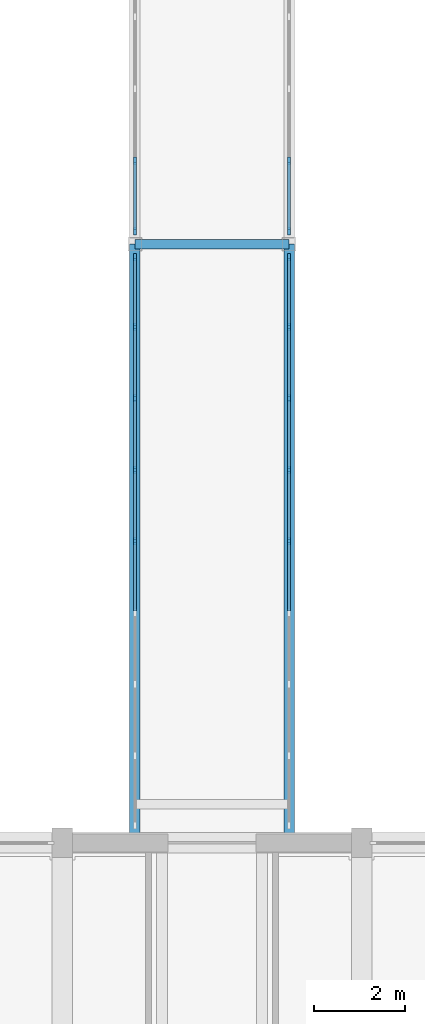
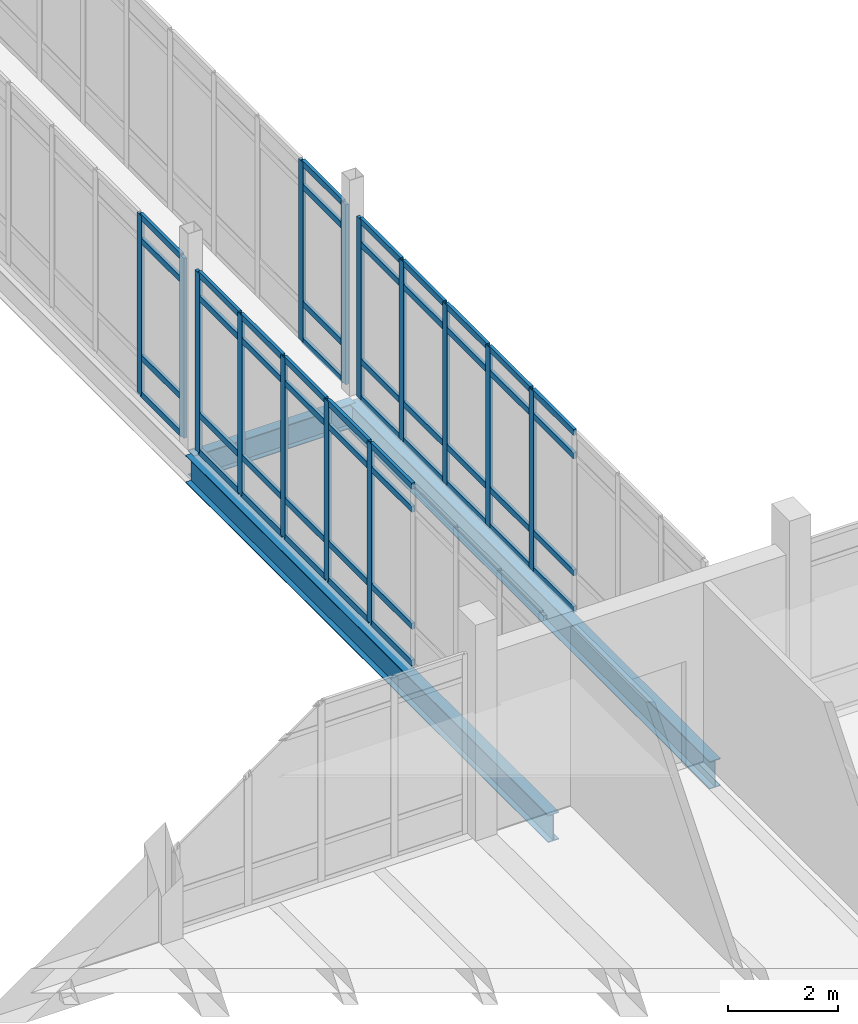
# One storey, part 52 of 125: 62 members, 3 beams, 4 elements without a shape of their own.
"""IFC4 building model written with IfcOpenShell, lengths in metres."""

from ifc_helpers import new_model, si_unit, direction, frame, origin, origin_2d, place, context, subcontext, project, spatial, rectangle, i_section, extrude, material, material_profile, profile_set, type_object, element, aggregate, save


model = new_model("IFC4")

# Units and contexts
model_context = context("Model", 3, precision=1e-05, world=origin(), true_north=direction((0.0, 1.0)))
body_context = subcontext(model_context, "Body", "Model", "MODEL_VIEW")
ifc_project = project(units=[si_unit("LENGTHUNIT", "METRE"), si_unit("AREAUNIT", "SQUARE_METRE"), si_unit("VOLUMEUNIT", "CUBIC_METRE"), si_unit("PLANEANGLEUNIT", "RADIAN"), si_unit("MASSUNIT", "GRAM", prefix="KILO")], contexts=[model_context])

# Site, building, storey
site_placement = place(None, origin())
site = spatial("IfcSite", under=ifc_project, at=site_placement, CompositionType="ELEMENT")
building_placement = place(site_placement, origin())
building = spatial("IfcBuilding", under=site, at=building_placement, Name="Dornvale Research Institute", CompositionType="ELEMENT")
storey_placement = place(building_placement, frame((0.0, 0.0, 5.39990234375)))
storey = spatial("IfcBuildingStorey", under=building, at=storey_placement, Name="L01", CompositionType="ELEMENT", Elevation=5.39990234375)

# Beams
ifc_material_1 = material(Name="Steel ASTM A992 Grade 50", Category="steel")
ifc_material_profile_1 = material_profile(ifc_material_1, i_section(OverallWidth=0.2099609375, OverallDepth=0.535888671875, WebThickness=0.010986328125, FlangeThickness=0.017333984375, at=origin_2d()), Name="W21X68")
ifc_profile_set_1 = profile_set([ifc_material_profile_1], Name="Steel ASTM A992 Grade 50")
beam_type_1 = type_object("IfcBeamType", Name="Beam_Steel_W21X68_Ext", PredefinedType="BEAM", material=ifc_profile_set_1)
beam_placement = place(storey_placement, frame((140.199951171875, 39.60009765625, -0.48779296875), z_axis=(1.0, 0.0, 0.0), x_axis=(0.0, 1.0, 0.0)))
element("IfcBeam", 1, at=beam_placement, inside=storey, type_object=beam_type_1, Name="L01 BR-7 portal cap beam #2026", PredefinedType="BEAM", context=body_context, shape_type="SweptSolid", body=[
    extrude(i_section(OverallWidth=0.2099609375, OverallDepth=0.535888671875, WebThickness=0.010986328125, FlangeThickness=0.017333984375, at=origin_2d()), origin(), (0.0, 0.0, 1.0), 3.400146484375),
])
ifc_material_2 = material(Name="Steel ASTM A992 Grade 50", Category="steel")
ifc_material_profile_2 = material_profile(ifc_material_2, i_section(OverallWidth=0.22900390625, OverallDepth=0.612060546875, WebThickness=0.011962890625, FlangeThickness=0.01953125, at=origin_2d()), Name="W24X84")
ifc_profile_set_2 = profile_set([ifc_material_profile_2], Name="Steel ASTM A992 Grade 50")
beam_type_2 = type_object("IfcBeamType", Name="Beam_Steel_W24X84_Bridge", PredefinedType="BEAM", material=ifc_profile_set_2)
for number, where, z_axis, x_axis, name in (
    (2, (140.199951171875, 26.39990234375, -0.52587890625), (0.0, 1.0, 0.0), (-1.0, 0.0, 0.0), "L01 BR-7 west girder #2026"),
    (3, (143.60009765625, 26.39990234375, -0.52587890625), (0.0, 1.0, 0.0), (-1.0, 0.0, 0.0), "L01 BR-7 east girder #2026"),
):
    element("IfcBeam", number, at=place(storey_placement, frame(where, z_axis=z_axis, x_axis=x_axis)), inside=storey, type_object=beam_type_2, Name=name, PredefinedType="BEAM", context=body_context, shape_type="SweptSolid", body=[
        extrude(i_section(OverallWidth=0.22900390625, OverallDepth=0.612060546875, WebThickness=0.011962890625, FlangeThickness=0.01953125, at=origin_2d()), origin(), (0.0, 0.0, 1.0), 13.2001953125),
    ])

# Curtain wall, members
ifc_material_3 = material(Name="Low-E Argon Double Insulating Glazing Unit", Category="glass")
curtain_wall_type_1 = type_object("IfcCurtainWallType", Name="UnitisedCurtainWall_V2_12600x4000", PredefinedType="USERDEFINED", material=ifc_material_3)
curtain_wall_1_placement = place(storey_placement, origin())
curtain_wall_1 = element("IfcCurtainWall", 4, at=curtain_wall_1_placement, inside=storey, type_object=curtain_wall_type_1, Name="L01 V2 unitised curtain wall CW-41 #231", ObjectType="UNITISED CURTAIN WALL", PredefinedType="USERDEFINED")
ifc_material_4 = material(Name="Anodized Aluminum AA 6063-T6 Thermally Broken Frame", Category="aluminium")
ifc_material_profile_3 = material_profile(ifc_material_4, rectangle(XDim=0.06494140625, YDim=0.1650390625, at=origin_2d()), Name="ALU MULLION 65x165")
ifc_profile_set_3 = profile_set([ifc_material_profile_3], Name="Anodized Aluminum AA 6063-T6 Thermally Broken Frame")
member_type_1 = type_object("IfcMemberType", Name="Mullion_Atrium_65x165", PredefinedType="MULLION", material=ifc_profile_set_3)
member_1_placement = place(storey_placement, frame((140.199951171875, 33.050048828125, 0.0), z_axis=(0.0, 0.0, 1.0), x_axis=(-1.0, 0.0, 0.0)))
member_1 = element("IfcMember", 5, at=member_1_placement, type_object=member_type_1, Name="CW-41 mullion 5", PredefinedType="MULLION", context=body_context, shape_type="SweptSolid", body=[
    extrude(rectangle(XDim=0.06494140625, YDim=0.1650390625, at=origin_2d()), origin(), (0.0, 0.0, 1.0), 4.0),
])
member_2_placement = place(storey_placement, frame((140.199951171875, 34.625, 0.0), z_axis=(0.0, 0.0, 1.0), x_axis=(-1.0, 0.0, 0.0)))
member_2 = element("IfcMember", 6, at=member_2_placement, type_object=member_type_1, Name="CW-41 mullion 6", PredefinedType="MULLION", context=body_context, shape_type="SweptSolid", body=[
    extrude(rectangle(XDim=0.06494140625, YDim=0.1650390625, at=origin_2d()), origin(), (0.0, 0.0, 1.0), 4.0),
])
member_3_placement = place(storey_placement, frame((140.199951171875, 36.199951171875, 0.0), z_axis=(0.0, 0.0, 1.0), x_axis=(-1.0, 0.0, 0.0)))
member_3 = element("IfcMember", 7, at=member_3_placement, type_object=member_type_1, Name="CW-41 mullion 7", PredefinedType="MULLION", context=body_context, shape_type="SweptSolid", body=[
    extrude(rectangle(XDim=0.06494140625, YDim=0.1650390625, at=origin_2d()), origin(), (0.0, 0.0, 1.0), 4.0),
])
member_4_placement = place(storey_placement, frame((140.199951171875, 37.77490234375, 0.0), z_axis=(0.0, 0.0, 1.0), x_axis=(-1.0, 0.0, 0.0)))
member_4 = element("IfcMember", 8, at=member_4_placement, type_object=member_type_1, Name="CW-41 mullion 8", PredefinedType="MULLION", context=body_context, shape_type="SweptSolid", body=[
    extrude(rectangle(XDim=0.06494140625, YDim=0.1650390625, at=origin_2d()), origin(), (0.0, 0.0, 1.0), 4.0),
])
member_5_placement = place(storey_placement, frame((140.199951171875, 39.3173828125, 0.0), z_axis=(0.0, 0.0, 1.0), x_axis=(-1.0, 0.0, 0.0)))
member_5 = element("IfcMember", 9, at=member_5_placement, type_object=member_type_1, Name="CW-41 mullion 9", PredefinedType="MULLION", context=body_context, shape_type="SweptSolid", body=[
    extrude(rectangle(XDim=0.06494140625, YDim=0.1650390625, at=origin_2d()), origin(), (0.0, 0.0, 1.0), 4.0),
])

curtain_wall_2_placement = place(storey_placement, origin())
curtain_wall_2 = element("IfcCurtainWall", 10, at=curtain_wall_2_placement, inside=storey, type_object=curtain_wall_type_1, Name="L01 V2 unitised curtain wall CW-41 #232", ObjectType="UNITISED CURTAIN WALL", PredefinedType="USERDEFINED")
member_6_placement = place(storey_placement, frame((143.60009765625, 39.3173828125, 0.0), z_axis=(0.0, 0.0, 1.0), x_axis=(1.0, 0.0, 0.0)))
member_6 = element("IfcMember", 11, at=member_6_placement, type_object=member_type_1, Name="CW-41 mullion 1", PredefinedType="MULLION", context=body_context, shape_type="SweptSolid", body=[
    extrude(rectangle(XDim=0.06494140625, YDim=0.1650390625, at=origin_2d()), origin(), (0.0, 0.0, 1.0), 4.0),
])
member_7_placement = place(storey_placement, frame((143.60009765625, 37.77490234375, 0.0), z_axis=(0.0, 0.0, 1.0), x_axis=(1.0, 0.0, 0.0)))
member_7 = element("IfcMember", 12, at=member_7_placement, type_object=member_type_1, Name="CW-41 mullion 2", PredefinedType="MULLION", context=body_context, shape_type="SweptSolid", body=[
    extrude(rectangle(XDim=0.06494140625, YDim=0.1650390625, at=origin_2d()), origin(), (0.0, 0.0, 1.0), 4.0),
])
member_8_placement = place(storey_placement, frame((143.60009765625, 36.199951171875, 0.0), z_axis=(0.0, 0.0, 1.0), x_axis=(1.0, 0.0, 0.0)))
member_8 = element("IfcMember", 13, at=member_8_placement, type_object=member_type_1, Name="CW-41 mullion 3", PredefinedType="MULLION", context=body_context, shape_type="SweptSolid", body=[
    extrude(rectangle(XDim=0.06494140625, YDim=0.1650390625, at=origin_2d()), origin(), (0.0, 0.0, 1.0), 4.0),
])
member_9_placement = place(storey_placement, frame((143.60009765625, 34.625, 0.0), z_axis=(0.0, 0.0, 1.0), x_axis=(1.0, 0.0, 0.0)))
member_9 = element("IfcMember", 14, at=member_9_placement, type_object=member_type_1, Name="CW-41 mullion 4", PredefinedType="MULLION", context=body_context, shape_type="SweptSolid", body=[
    extrude(rectangle(XDim=0.06494140625, YDim=0.1650390625, at=origin_2d()), origin(), (0.0, 0.0, 1.0), 4.0),
])
member_10_placement = place(storey_placement, frame((143.60009765625, 33.050048828125, 0.0), z_axis=(0.0, 0.0, 1.0), x_axis=(1.0, 0.0, 0.0)))
member_10 = element("IfcMember", 15, at=member_10_placement, type_object=member_type_1, Name="CW-41 mullion 5", PredefinedType="MULLION", context=body_context, shape_type="SweptSolid", body=[
    extrude(rectangle(XDim=0.06494140625, YDim=0.1650390625, at=origin_2d()), origin(), (0.0, 0.0, 1.0), 4.0),
])

ifc_material_5 = material(Name="Low-E Argon Double Insulating Glazing Unit", Category="glass")
curtain_wall_type_2 = type_object("IfcCurtainWallType", Name="UnitisedCurtainWall_V2_12700x4000", PredefinedType="USERDEFINED", material=ifc_material_5)
curtain_wall_3_placement = place(storey_placement, origin())
curtain_wall_3 = element("IfcCurtainWall", 16, at=curtain_wall_3_placement, inside=storey, type_object=curtain_wall_type_2, Name="L01 V2 unitised curtain wall CW-42 #233", ObjectType="UNITISED CURTAIN WALL", PredefinedType="USERDEFINED")
member_11_placement = place(storey_placement, frame((140.199951171875, 39.882568359375, 0.0), z_axis=(0.0, 0.0, 1.0), x_axis=(-1.0, 0.0, 0.0)))
member_11 = element("IfcMember", 17, at=member_11_placement, type_object=member_type_1, Name="CW-42 mullion 1", PredefinedType="MULLION", context=body_context, shape_type="SweptSolid", body=[
    extrude(rectangle(XDim=0.06494140625, YDim=0.1650390625, at=origin_2d()), origin(), (0.0, 0.0, 1.0), 4.0),
])
member_12_placement = place(storey_placement, frame((140.199951171875, 41.4375, 0.0), z_axis=(0.0, 0.0, 1.0), x_axis=(-1.0, 0.0, 0.0)))
member_12 = element("IfcMember", 18, at=member_12_placement, type_object=member_type_1, Name="CW-42 mullion 2", PredefinedType="MULLION", context=body_context, shape_type="SweptSolid", body=[
    extrude(rectangle(XDim=0.06494140625, YDim=0.1650390625, at=origin_2d()), origin(), (0.0, 0.0, 1.0), 4.0),
])

curtain_wall_4_placement = place(storey_placement, origin())
curtain_wall_4 = element("IfcCurtainWall", 19, at=curtain_wall_4_placement, inside=storey, type_object=curtain_wall_type_2, Name="L01 V2 unitised curtain wall CW-42 #234", ObjectType="UNITISED CURTAIN WALL", PredefinedType="USERDEFINED")
member_13_placement = place(storey_placement, frame((143.60009765625, 41.4375, 0.0), z_axis=(0.0, 0.0, 1.0), x_axis=(1.0, 0.0, 0.0)))
member_13 = element("IfcMember", 20, at=member_13_placement, type_object=member_type_1, Name="CW-42 mullion 8", PredefinedType="MULLION", context=body_context, shape_type="SweptSolid", body=[
    extrude(rectangle(XDim=0.06494140625, YDim=0.1650390625, at=origin_2d()), origin(), (0.0, 0.0, 1.0), 4.0),
])
member_14_placement = place(storey_placement, frame((143.60009765625, 39.882568359375, 0.0), z_axis=(0.0, 0.0, 1.0), x_axis=(1.0, 0.0, 0.0)))
member_14 = element("IfcMember", 21, at=member_14_placement, type_object=member_type_1, Name="CW-42 mullion 9", PredefinedType="MULLION", context=body_context, shape_type="SweptSolid", body=[
    extrude(rectangle(XDim=0.06494140625, YDim=0.1650390625, at=origin_2d()), origin(), (0.0, 0.0, 1.0), 4.0),
])

# Member
ifc_material_6 = material(Name="Anodized Aluminum AA 6063-T6 Thermally Broken Frame", Category="aluminium")
ifc_material_profile_4 = material_profile(ifc_material_6, rectangle(XDim=0.06494140625, YDim=0.135009765625, at=origin_2d()), Name="ALU TRANSOM 65x135")
ifc_profile_set_4 = profile_set([ifc_material_profile_4], Name="Anodized Aluminum AA 6063-T6 Thermally Broken Frame")
member_type_2 = type_object("IfcMemberType", Name="Transom_CW_65x135", PredefinedType="USERDEFINED", material=ifc_profile_set_4)
member_15_placement = place(storey_placement, frame((140.199951171875, 31.507568359375, 0.03271484375), z_axis=(0.0, 1.0, 0.0), x_axis=(-1.0, 0.0, 0.0)))
member_15 = element("IfcMember", 22, at=member_15_placement, type_object=member_type_2, Name="CW-41 transom 4.1", ObjectType="TRANSOM", PredefinedType="USERDEFINED", context=body_context, shape_type="SweptSolid", body=[
    extrude(rectangle(XDim=0.06494140625, YDim=0.135009765625, at=origin_2d()), origin(), (0.0, 0.0, 1.0), 1.510009765625),
])

member_16_placement = place(storey_placement, frame((140.199951171875, 31.507568359375, 0.85009765625), z_axis=(0.0, 1.0, 0.0), x_axis=(-1.0, 0.0, 0.0)))
member_16 = element("IfcMember", 23, at=member_16_placement, type_object=member_type_2, Name="CW-41 transom 4.2", ObjectType="TRANSOM", PredefinedType="USERDEFINED", context=body_context, shape_type="SweptSolid", body=[
    extrude(rectangle(XDim=0.06494140625, YDim=0.135009765625, at=origin_2d()), origin(), (0.0, 0.0, 1.0), 1.510009765625),
])

member_17_placement = place(storey_placement, frame((140.199951171875, 31.507568359375, 3.4501953125), z_axis=(0.0, 1.0, 0.0), x_axis=(-1.0, 0.0, 0.0)))
member_17 = element("IfcMember", 24, at=member_17_placement, type_object=member_type_2, Name="CW-41 transom 4.3", ObjectType="TRANSOM", PredefinedType="USERDEFINED", context=body_context, shape_type="SweptSolid", body=[
    extrude(rectangle(XDim=0.06494140625, YDim=0.135009765625, at=origin_2d()), origin(), (0.0, 0.0, 1.0), 1.510009765625),
])

member_18_placement = place(storey_placement, frame((140.199951171875, 31.507568359375, 3.967529296875), z_axis=(0.0, 1.0, 0.0), x_axis=(-1.0, 0.0, 0.0)))
member_18 = element("IfcMember", 25, at=member_18_placement, type_object=member_type_2, Name="CW-41 transom 4.4", ObjectType="TRANSOM", PredefinedType="USERDEFINED", context=body_context, shape_type="SweptSolid", body=[
    extrude(rectangle(XDim=0.06494140625, YDim=0.135009765625, at=origin_2d()), origin(), (0.0, 0.0, 1.0), 1.510009765625),
])

member_19_placement = place(storey_placement, frame((140.199951171875, 33.08251953125, 0.03271484375), z_axis=(0.0, 1.0, 0.0), x_axis=(-1.0, 0.0, 0.0)))
member_19 = element("IfcMember", 26, at=member_19_placement, type_object=member_type_2, Name="CW-41 transom 5.1", ObjectType="TRANSOM", PredefinedType="USERDEFINED", context=body_context, shape_type="SweptSolid", body=[
    extrude(rectangle(XDim=0.06494140625, YDim=0.135009765625, at=origin_2d()), origin(), (0.0, 0.0, 1.0), 1.510009765625),
])

member_20_placement = place(storey_placement, frame((140.199951171875, 33.08251953125, 0.85009765625), z_axis=(0.0, 1.0, 0.0), x_axis=(-1.0, 0.0, 0.0)))
member_20 = element("IfcMember", 27, at=member_20_placement, type_object=member_type_2, Name="CW-41 transom 5.2", ObjectType="TRANSOM", PredefinedType="USERDEFINED", context=body_context, shape_type="SweptSolid", body=[
    extrude(rectangle(XDim=0.06494140625, YDim=0.135009765625, at=origin_2d()), origin(), (0.0, 0.0, 1.0), 1.510009765625),
])

member_21_placement = place(storey_placement, frame((140.199951171875, 33.08251953125, 3.4501953125), z_axis=(0.0, 1.0, 0.0), x_axis=(-1.0, 0.0, 0.0)))
member_21 = element("IfcMember", 28, at=member_21_placement, type_object=member_type_2, Name="CW-41 transom 5.3", ObjectType="TRANSOM", PredefinedType="USERDEFINED", context=body_context, shape_type="SweptSolid", body=[
    extrude(rectangle(XDim=0.06494140625, YDim=0.135009765625, at=origin_2d()), origin(), (0.0, 0.0, 1.0), 1.510009765625),
])

member_22_placement = place(storey_placement, frame((140.199951171875, 33.08251953125, 3.967529296875), z_axis=(0.0, 1.0, 0.0), x_axis=(-1.0, 0.0, 0.0)))
member_22 = element("IfcMember", 29, at=member_22_placement, type_object=member_type_2, Name="CW-41 transom 5.4", ObjectType="TRANSOM", PredefinedType="USERDEFINED", context=body_context, shape_type="SweptSolid", body=[
    extrude(rectangle(XDim=0.06494140625, YDim=0.135009765625, at=origin_2d()), origin(), (0.0, 0.0, 1.0), 1.510009765625),
])

member_23_placement = place(storey_placement, frame((140.199951171875, 34.657470703125, 0.03271484375), z_axis=(0.0, 1.0, 0.0), x_axis=(-1.0, 0.0, 0.0)))
member_23 = element("IfcMember", 30, at=member_23_placement, type_object=member_type_2, Name="CW-41 transom 6.1", ObjectType="TRANSOM", PredefinedType="USERDEFINED", context=body_context, shape_type="SweptSolid", body=[
    extrude(rectangle(XDim=0.06494140625, YDim=0.135009765625, at=origin_2d()), origin(), (0.0, 0.0, 1.0), 1.510009765625),
])

member_24_placement = place(storey_placement, frame((140.199951171875, 34.657470703125, 0.85009765625), z_axis=(0.0, 1.0, 0.0), x_axis=(-1.0, 0.0, 0.0)))
member_24 = element("IfcMember", 31, at=member_24_placement, type_object=member_type_2, Name="CW-41 transom 6.2", ObjectType="TRANSOM", PredefinedType="USERDEFINED", context=body_context, shape_type="SweptSolid", body=[
    extrude(rectangle(XDim=0.06494140625, YDim=0.135009765625, at=origin_2d()), origin(), (0.0, 0.0, 1.0), 1.510009765625),
])

member_25_placement = place(storey_placement, frame((140.199951171875, 34.657470703125, 3.4501953125), z_axis=(0.0, 1.0, 0.0), x_axis=(-1.0, 0.0, 0.0)))
member_25 = element("IfcMember", 32, at=member_25_placement, type_object=member_type_2, Name="CW-41 transom 6.3", ObjectType="TRANSOM", PredefinedType="USERDEFINED", context=body_context, shape_type="SweptSolid", body=[
    extrude(rectangle(XDim=0.06494140625, YDim=0.135009765625, at=origin_2d()), origin(), (0.0, 0.0, 1.0), 1.510009765625),
])

member_26_placement = place(storey_placement, frame((140.199951171875, 34.657470703125, 3.967529296875), z_axis=(0.0, 1.0, 0.0), x_axis=(-1.0, 0.0, 0.0)))
member_26 = element("IfcMember", 33, at=member_26_placement, type_object=member_type_2, Name="CW-41 transom 6.4", ObjectType="TRANSOM", PredefinedType="USERDEFINED", context=body_context, shape_type="SweptSolid", body=[
    extrude(rectangle(XDim=0.06494140625, YDim=0.135009765625, at=origin_2d()), origin(), (0.0, 0.0, 1.0), 1.510009765625),
])

member_27_placement = place(storey_placement, frame((140.199951171875, 36.232421875, 0.03271484375), z_axis=(0.0, 1.0, 0.0), x_axis=(-1.0, 0.0, 0.0)))
member_27 = element("IfcMember", 34, at=member_27_placement, type_object=member_type_2, Name="CW-41 transom 7.1", ObjectType="TRANSOM", PredefinedType="USERDEFINED", context=body_context, shape_type="SweptSolid", body=[
    extrude(rectangle(XDim=0.06494140625, YDim=0.135009765625, at=origin_2d()), origin(), (0.0, 0.0, 1.0), 1.510009765625),
])

member_28_placement = place(storey_placement, frame((140.199951171875, 36.232421875, 0.85009765625), z_axis=(0.0, 1.0, 0.0), x_axis=(-1.0, 0.0, 0.0)))
member_28 = element("IfcMember", 35, at=member_28_placement, type_object=member_type_2, Name="CW-41 transom 7.2", ObjectType="TRANSOM", PredefinedType="USERDEFINED", context=body_context, shape_type="SweptSolid", body=[
    extrude(rectangle(XDim=0.06494140625, YDim=0.135009765625, at=origin_2d()), origin(), (0.0, 0.0, 1.0), 1.510009765625),
])

member_29_placement = place(storey_placement, frame((140.199951171875, 36.232421875, 3.4501953125), z_axis=(0.0, 1.0, 0.0), x_axis=(-1.0, 0.0, 0.0)))
member_29 = element("IfcMember", 36, at=member_29_placement, type_object=member_type_2, Name="CW-41 transom 7.3", ObjectType="TRANSOM", PredefinedType="USERDEFINED", context=body_context, shape_type="SweptSolid", body=[
    extrude(rectangle(XDim=0.06494140625, YDim=0.135009765625, at=origin_2d()), origin(), (0.0, 0.0, 1.0), 1.510009765625),
])

member_30_placement = place(storey_placement, frame((140.199951171875, 36.232421875, 3.967529296875), z_axis=(0.0, 1.0, 0.0), x_axis=(-1.0, 0.0, 0.0)))
member_30 = element("IfcMember", 37, at=member_30_placement, type_object=member_type_2, Name="CW-41 transom 7.4", ObjectType="TRANSOM", PredefinedType="USERDEFINED", context=body_context, shape_type="SweptSolid", body=[
    extrude(rectangle(XDim=0.06494140625, YDim=0.135009765625, at=origin_2d()), origin(), (0.0, 0.0, 1.0), 1.510009765625),
])

member_31_placement = place(storey_placement, frame((140.199951171875, 37.8076171875, 0.03271484375), z_axis=(0.0, 1.0, 0.0), x_axis=(-1.0, 0.0, 0.0)))
member_31 = element("IfcMember", 38, at=member_31_placement, type_object=member_type_2, Name="CW-41 transom 8.1", ObjectType="TRANSOM", PredefinedType="USERDEFINED", context=body_context, shape_type="SweptSolid", body=[
    extrude(rectangle(XDim=0.06494140625, YDim=0.135009765625, at=origin_2d()), origin(), (0.0, 0.0, 1.0), 1.477294921875),
])

member_32_placement = place(storey_placement, frame((140.199951171875, 37.8076171875, 0.85009765625), z_axis=(0.0, 1.0, 0.0), x_axis=(-1.0, 0.0, 0.0)))
member_32 = element("IfcMember", 39, at=member_32_placement, type_object=member_type_2, Name="CW-41 transom 8.2", ObjectType="TRANSOM", PredefinedType="USERDEFINED", context=body_context, shape_type="SweptSolid", body=[
    extrude(rectangle(XDim=0.06494140625, YDim=0.135009765625, at=origin_2d()), origin(), (0.0, 0.0, 1.0), 1.477294921875),
])

member_33_placement = place(storey_placement, frame((140.199951171875, 37.8076171875, 3.4501953125), z_axis=(0.0, 1.0, 0.0), x_axis=(-1.0, 0.0, 0.0)))
member_33 = element("IfcMember", 40, at=member_33_placement, type_object=member_type_2, Name="CW-41 transom 8.3", ObjectType="TRANSOM", PredefinedType="USERDEFINED", context=body_context, shape_type="SweptSolid", body=[
    extrude(rectangle(XDim=0.06494140625, YDim=0.135009765625, at=origin_2d()), origin(), (0.0, 0.0, 1.0), 1.477294921875),
])

member_34_placement = place(storey_placement, frame((140.199951171875, 37.8076171875, 3.967529296875), z_axis=(0.0, 1.0, 0.0), x_axis=(-1.0, 0.0, 0.0)))
member_34 = element("IfcMember", 41, at=member_34_placement, type_object=member_type_2, Name="CW-41 transom 8.4", ObjectType="TRANSOM", PredefinedType="USERDEFINED", context=body_context, shape_type="SweptSolid", body=[
    extrude(rectangle(XDim=0.06494140625, YDim=0.135009765625, at=origin_2d()), origin(), (0.0, 0.0, 1.0), 1.477294921875),
])

aggregate(curtain_wall_1, [member_1, member_2, member_3, member_4, member_5, member_15, member_16, member_17, member_18, member_19, member_20, member_21, member_22, member_23, member_24, member_25, member_26, member_27, member_28, member_29, member_30, member_31, member_32, member_33, member_34])

member_35_placement = place(storey_placement, frame((143.60009765625, 39.284912109375, 0.03271484375), z_axis=(0.0, -1.0, 0.0), x_axis=(1.0, 0.0, 0.0)))
member_35 = element("IfcMember", 42, at=member_35_placement, type_object=member_type_2, Name="CW-41 transom 1.1", ObjectType="TRANSOM", PredefinedType="USERDEFINED", context=body_context, shape_type="SweptSolid", body=[
    extrude(rectangle(XDim=0.06494140625, YDim=0.135009765625, at=origin_2d()), origin(), (0.0, 0.0, 1.0), 1.477294921875),
])

member_36_placement = place(storey_placement, frame((143.60009765625, 39.284912109375, 0.85009765625), z_axis=(0.0, -1.0, 0.0), x_axis=(1.0, 0.0, 0.0)))
member_36 = element("IfcMember", 43, at=member_36_placement, type_object=member_type_2, Name="CW-41 transom 1.2", ObjectType="TRANSOM", PredefinedType="USERDEFINED", context=body_context, shape_type="SweptSolid", body=[
    extrude(rectangle(XDim=0.06494140625, YDim=0.135009765625, at=origin_2d()), origin(), (0.0, 0.0, 1.0), 1.477294921875),
])

member_37_placement = place(storey_placement, frame((143.60009765625, 39.284912109375, 3.4501953125), z_axis=(0.0, -1.0, 0.0), x_axis=(1.0, 0.0, 0.0)))
member_37 = element("IfcMember", 44, at=member_37_placement, type_object=member_type_2, Name="CW-41 transom 1.3", ObjectType="TRANSOM", PredefinedType="USERDEFINED", context=body_context, shape_type="SweptSolid", body=[
    extrude(rectangle(XDim=0.06494140625, YDim=0.135009765625, at=origin_2d()), origin(), (0.0, 0.0, 1.0), 1.477294921875),
])

member_38_placement = place(storey_placement, frame((143.60009765625, 39.284912109375, 3.967529296875), z_axis=(0.0, -1.0, 0.0), x_axis=(1.0, 0.0, 0.0)))
member_38 = element("IfcMember", 45, at=member_38_placement, type_object=member_type_2, Name="CW-41 transom 1.4", ObjectType="TRANSOM", PredefinedType="USERDEFINED", context=body_context, shape_type="SweptSolid", body=[
    extrude(rectangle(XDim=0.06494140625, YDim=0.135009765625, at=origin_2d()), origin(), (0.0, 0.0, 1.0), 1.477294921875),
])

member_39_placement = place(storey_placement, frame((143.60009765625, 37.742431640625, 0.03271484375), z_axis=(0.0, -1.0, 0.0), x_axis=(1.0, 0.0, 0.0)))
member_39 = element("IfcMember", 46, at=member_39_placement, type_object=member_type_2, Name="CW-41 transom 2.1", ObjectType="TRANSOM", PredefinedType="USERDEFINED", context=body_context, shape_type="SweptSolid", body=[
    extrude(rectangle(XDim=0.06494140625, YDim=0.135009765625, at=origin_2d()), origin(), (0.0, 0.0, 1.0), 1.510009765625),
])

member_40_placement = place(storey_placement, frame((143.60009765625, 37.742431640625, 0.85009765625), z_axis=(0.0, -1.0, 0.0), x_axis=(1.0, 0.0, 0.0)))
member_40 = element("IfcMember", 47, at=member_40_placement, type_object=member_type_2, Name="CW-41 transom 2.2", ObjectType="TRANSOM", PredefinedType="USERDEFINED", context=body_context, shape_type="SweptSolid", body=[
    extrude(rectangle(XDim=0.06494140625, YDim=0.135009765625, at=origin_2d()), origin(), (0.0, 0.0, 1.0), 1.510009765625),
])

member_41_placement = place(storey_placement, frame((143.60009765625, 37.742431640625, 3.4501953125), z_axis=(0.0, -1.0, 0.0), x_axis=(1.0, 0.0, 0.0)))
member_41 = element("IfcMember", 48, at=member_41_placement, type_object=member_type_2, Name="CW-41 transom 2.3", ObjectType="TRANSOM", PredefinedType="USERDEFINED", context=body_context, shape_type="SweptSolid", body=[
    extrude(rectangle(XDim=0.06494140625, YDim=0.135009765625, at=origin_2d()), origin(), (0.0, 0.0, 1.0), 1.510009765625),
])

member_42_placement = place(storey_placement, frame((143.60009765625, 37.742431640625, 3.967529296875), z_axis=(0.0, -1.0, 0.0), x_axis=(1.0, 0.0, 0.0)))
member_42 = element("IfcMember", 49, at=member_42_placement, type_object=member_type_2, Name="CW-41 transom 2.4", ObjectType="TRANSOM", PredefinedType="USERDEFINED", context=body_context, shape_type="SweptSolid", body=[
    extrude(rectangle(XDim=0.06494140625, YDim=0.135009765625, at=origin_2d()), origin(), (0.0, 0.0, 1.0), 1.510009765625),
])

member_43_placement = place(storey_placement, frame((143.60009765625, 36.16748046875, 0.03271484375), z_axis=(0.0, -1.0, 0.0), x_axis=(1.0, 0.0, 0.0)))
member_43 = element("IfcMember", 50, at=member_43_placement, type_object=member_type_2, Name="CW-41 transom 3.1", ObjectType="TRANSOM", PredefinedType="USERDEFINED", context=body_context, shape_type="SweptSolid", body=[
    extrude(rectangle(XDim=0.06494140625, YDim=0.135009765625, at=origin_2d()), origin(), (0.0, 0.0, 1.0), 1.510009765625),
])

member_44_placement = place(storey_placement, frame((143.60009765625, 36.16748046875, 0.85009765625), z_axis=(0.0, -1.0, 0.0), x_axis=(1.0, 0.0, 0.0)))
member_44 = element("IfcMember", 51, at=member_44_placement, type_object=member_type_2, Name="CW-41 transom 3.2", ObjectType="TRANSOM", PredefinedType="USERDEFINED", context=body_context, shape_type="SweptSolid", body=[
    extrude(rectangle(XDim=0.06494140625, YDim=0.135009765625, at=origin_2d()), origin(), (0.0, 0.0, 1.0), 1.510009765625),
])

member_45_placement = place(storey_placement, frame((143.60009765625, 36.16748046875, 3.4501953125), z_axis=(0.0, -1.0, 0.0), x_axis=(1.0, 0.0, 0.0)))
member_45 = element("IfcMember", 52, at=member_45_placement, type_object=member_type_2, Name="CW-41 transom 3.3", ObjectType="TRANSOM", PredefinedType="USERDEFINED", context=body_context, shape_type="SweptSolid", body=[
    extrude(rectangle(XDim=0.06494140625, YDim=0.135009765625, at=origin_2d()), origin(), (0.0, 0.0, 1.0), 1.510009765625),
])

member_46_placement = place(storey_placement, frame((143.60009765625, 36.16748046875, 3.967529296875), z_axis=(0.0, -1.0, 0.0), x_axis=(1.0, 0.0, 0.0)))
member_46 = element("IfcMember", 53, at=member_46_placement, type_object=member_type_2, Name="CW-41 transom 3.4", ObjectType="TRANSOM", PredefinedType="USERDEFINED", context=body_context, shape_type="SweptSolid", body=[
    extrude(rectangle(XDim=0.06494140625, YDim=0.135009765625, at=origin_2d()), origin(), (0.0, 0.0, 1.0), 1.510009765625),
])

member_47_placement = place(storey_placement, frame((143.60009765625, 34.592529296875, 0.03271484375), z_axis=(0.0, -1.0, 0.0), x_axis=(1.0, 0.0, 0.0)))
member_47 = element("IfcMember", 54, at=member_47_placement, type_object=member_type_2, Name="CW-41 transom 4.1", ObjectType="TRANSOM", PredefinedType="USERDEFINED", context=body_context, shape_type="SweptSolid", body=[
    extrude(rectangle(XDim=0.06494140625, YDim=0.135009765625, at=origin_2d()), origin(), (0.0, 0.0, 1.0), 1.510009765625),
])

member_48_placement = place(storey_placement, frame((143.60009765625, 34.592529296875, 0.85009765625), z_axis=(0.0, -1.0, 0.0), x_axis=(1.0, 0.0, 0.0)))
member_48 = element("IfcMember", 55, at=member_48_placement, type_object=member_type_2, Name="CW-41 transom 4.2", ObjectType="TRANSOM", PredefinedType="USERDEFINED", context=body_context, shape_type="SweptSolid", body=[
    extrude(rectangle(XDim=0.06494140625, YDim=0.135009765625, at=origin_2d()), origin(), (0.0, 0.0, 1.0), 1.510009765625),
])

member_49_placement = place(storey_placement, frame((143.60009765625, 34.592529296875, 3.4501953125), z_axis=(0.0, -1.0, 0.0), x_axis=(1.0, 0.0, 0.0)))
member_49 = element("IfcMember", 56, at=member_49_placement, type_object=member_type_2, Name="CW-41 transom 4.3", ObjectType="TRANSOM", PredefinedType="USERDEFINED", context=body_context, shape_type="SweptSolid", body=[
    extrude(rectangle(XDim=0.06494140625, YDim=0.135009765625, at=origin_2d()), origin(), (0.0, 0.0, 1.0), 1.510009765625),
])

member_50_placement = place(storey_placement, frame((143.60009765625, 34.592529296875, 3.967529296875), z_axis=(0.0, -1.0, 0.0), x_axis=(1.0, 0.0, 0.0)))
member_50 = element("IfcMember", 57, at=member_50_placement, type_object=member_type_2, Name="CW-41 transom 4.4", ObjectType="TRANSOM", PredefinedType="USERDEFINED", context=body_context, shape_type="SweptSolid", body=[
    extrude(rectangle(XDim=0.06494140625, YDim=0.135009765625, at=origin_2d()), origin(), (0.0, 0.0, 1.0), 1.510009765625),
])

member_51_placement = place(storey_placement, frame((143.60009765625, 33.017578125, 0.03271484375), z_axis=(0.0, -1.0, 0.0), x_axis=(1.0, 0.0, 0.0)))
member_51 = element("IfcMember", 58, at=member_51_placement, type_object=member_type_2, Name="CW-41 transom 5.1", ObjectType="TRANSOM", PredefinedType="USERDEFINED", context=body_context, shape_type="SweptSolid", body=[
    extrude(rectangle(XDim=0.06494140625, YDim=0.135009765625, at=origin_2d()), origin(), (0.0, 0.0, 1.0), 1.510009765625),
])

member_52_placement = place(storey_placement, frame((143.60009765625, 33.017578125, 0.85009765625), z_axis=(0.0, -1.0, 0.0), x_axis=(1.0, 0.0, 0.0)))
member_52 = element("IfcMember", 59, at=member_52_placement, type_object=member_type_2, Name="CW-41 transom 5.2", ObjectType="TRANSOM", PredefinedType="USERDEFINED", context=body_context, shape_type="SweptSolid", body=[
    extrude(rectangle(XDim=0.06494140625, YDim=0.135009765625, at=origin_2d()), origin(), (0.0, 0.0, 1.0), 1.510009765625),
])

member_53_placement = place(storey_placement, frame((143.60009765625, 33.017578125, 3.4501953125), z_axis=(0.0, -1.0, 0.0), x_axis=(1.0, 0.0, 0.0)))
member_53 = element("IfcMember", 60, at=member_53_placement, type_object=member_type_2, Name="CW-41 transom 5.3", ObjectType="TRANSOM", PredefinedType="USERDEFINED", context=body_context, shape_type="SweptSolid", body=[
    extrude(rectangle(XDim=0.06494140625, YDim=0.135009765625, at=origin_2d()), origin(), (0.0, 0.0, 1.0), 1.510009765625),
])

member_54_placement = place(storey_placement, frame((143.60009765625, 33.017578125, 3.967529296875), z_axis=(0.0, -1.0, 0.0), x_axis=(1.0, 0.0, 0.0)))
member_54 = element("IfcMember", 61, at=member_54_placement, type_object=member_type_2, Name="CW-41 transom 5.4", ObjectType="TRANSOM", PredefinedType="USERDEFINED", context=body_context, shape_type="SweptSolid", body=[
    extrude(rectangle(XDim=0.06494140625, YDim=0.135009765625, at=origin_2d()), origin(), (0.0, 0.0, 1.0), 1.510009765625),
])

aggregate(curtain_wall_2, [member_6, member_7, member_8, member_9, member_10, member_35, member_36, member_37, member_38, member_39, member_40, member_41, member_42, member_43, member_44, member_45, member_46, member_47, member_48, member_49, member_50, member_51, member_52, member_53, member_54])

member_55_placement = place(storey_placement, frame((140.199951171875, 39.9150390625, 0.03271484375), z_axis=(0.0, 1.0, 0.0), x_axis=(-1.0, 0.0, 0.0)))
member_55 = element("IfcMember", 62, at=member_55_placement, type_object=member_type_2, Name="CW-42 transom 1.1", ObjectType="TRANSOM", PredefinedType="USERDEFINED", context=body_context, shape_type="SweptSolid", body=[
    extrude(rectangle(XDim=0.06494140625, YDim=0.135009765625, at=origin_2d()), origin(), (0.0, 0.0, 1.0), 1.489990234375),
])

member_56_placement = place(storey_placement, frame((140.199951171875, 39.9150390625, 0.85009765625), z_axis=(0.0, 1.0, 0.0), x_axis=(-1.0, 0.0, 0.0)))
member_56 = element("IfcMember", 63, at=member_56_placement, type_object=member_type_2, Name="CW-42 transom 1.2", ObjectType="TRANSOM", PredefinedType="USERDEFINED", context=body_context, shape_type="SweptSolid", body=[
    extrude(rectangle(XDim=0.06494140625, YDim=0.135009765625, at=origin_2d()), origin(), (0.0, 0.0, 1.0), 1.489990234375),
])

member_57_placement = place(storey_placement, frame((140.199951171875, 39.9150390625, 3.4501953125), z_axis=(0.0, 1.0, 0.0), x_axis=(-1.0, 0.0, 0.0)))
member_57 = element("IfcMember", 64, at=member_57_placement, type_object=member_type_2, Name="CW-42 transom 1.3", ObjectType="TRANSOM", PredefinedType="USERDEFINED", context=body_context, shape_type="SweptSolid", body=[
    extrude(rectangle(XDim=0.06494140625, YDim=0.135009765625, at=origin_2d()), origin(), (0.0, 0.0, 1.0), 1.489990234375),
])

member_58_placement = place(storey_placement, frame((140.199951171875, 39.9150390625, 3.967529296875), z_axis=(0.0, 1.0, 0.0), x_axis=(-1.0, 0.0, 0.0)))
member_58 = element("IfcMember", 65, at=member_58_placement, type_object=member_type_2, Name="CW-42 transom 1.4", ObjectType="TRANSOM", PredefinedType="USERDEFINED", context=body_context, shape_type="SweptSolid", body=[
    extrude(rectangle(XDim=0.06494140625, YDim=0.135009765625, at=origin_2d()), origin(), (0.0, 0.0, 1.0), 1.489990234375),
])

aggregate(curtain_wall_3, [member_11, member_12, member_55, member_56, member_57, member_58])

member_59_placement = place(storey_placement, frame((143.60009765625, 41.405029296875, 0.03271484375), z_axis=(0.0, -1.0, 0.0), x_axis=(1.0, 0.0, 0.0)))
member_59 = element("IfcMember", 66, at=member_59_placement, type_object=member_type_2, Name="CW-42 transom 8.1", ObjectType="TRANSOM", PredefinedType="USERDEFINED", context=body_context, shape_type="SweptSolid", body=[
    extrude(rectangle(XDim=0.06494140625, YDim=0.135009765625, at=origin_2d()), origin(), (0.0, 0.0, 1.0), 1.489990234375),
])

member_60_placement = place(storey_placement, frame((143.60009765625, 41.405029296875, 0.85009765625), z_axis=(0.0, -1.0, 0.0), x_axis=(1.0, 0.0, 0.0)))
member_60 = element("IfcMember", 67, at=member_60_placement, type_object=member_type_2, Name="CW-42 transom 8.2", ObjectType="TRANSOM", PredefinedType="USERDEFINED", context=body_context, shape_type="SweptSolid", body=[
    extrude(rectangle(XDim=0.06494140625, YDim=0.135009765625, at=origin_2d()), origin(), (0.0, 0.0, 1.0), 1.489990234375),
])

member_61_placement = place(storey_placement, frame((143.60009765625, 41.405029296875, 3.4501953125), z_axis=(0.0, -1.0, 0.0), x_axis=(1.0, 0.0, 0.0)))
member_61 = element("IfcMember", 68, at=member_61_placement, type_object=member_type_2, Name="CW-42 transom 8.3", ObjectType="TRANSOM", PredefinedType="USERDEFINED", context=body_context, shape_type="SweptSolid", body=[
    extrude(rectangle(XDim=0.06494140625, YDim=0.135009765625, at=origin_2d()), origin(), (0.0, 0.0, 1.0), 1.489990234375),
])

member_62_placement = place(storey_placement, frame((143.60009765625, 41.405029296875, 3.967529296875), z_axis=(0.0, -1.0, 0.0), x_axis=(1.0, 0.0, 0.0)))
member_62 = element("IfcMember", 69, at=member_62_placement, type_object=member_type_2, Name="CW-42 transom 8.4", ObjectType="TRANSOM", PredefinedType="USERDEFINED", context=body_context, shape_type="SweptSolid", body=[
    extrude(rectangle(XDim=0.06494140625, YDim=0.135009765625, at=origin_2d()), origin(), (0.0, 0.0, 1.0), 1.489990234375),
])

aggregate(curtain_wall_4, [member_13, member_14, member_59, member_60, member_61, member_62])

save(model, "model.ifc")
